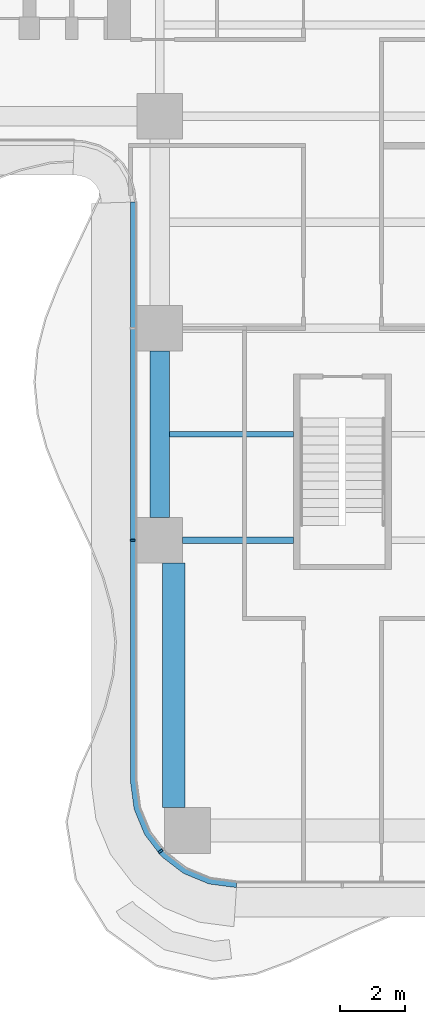
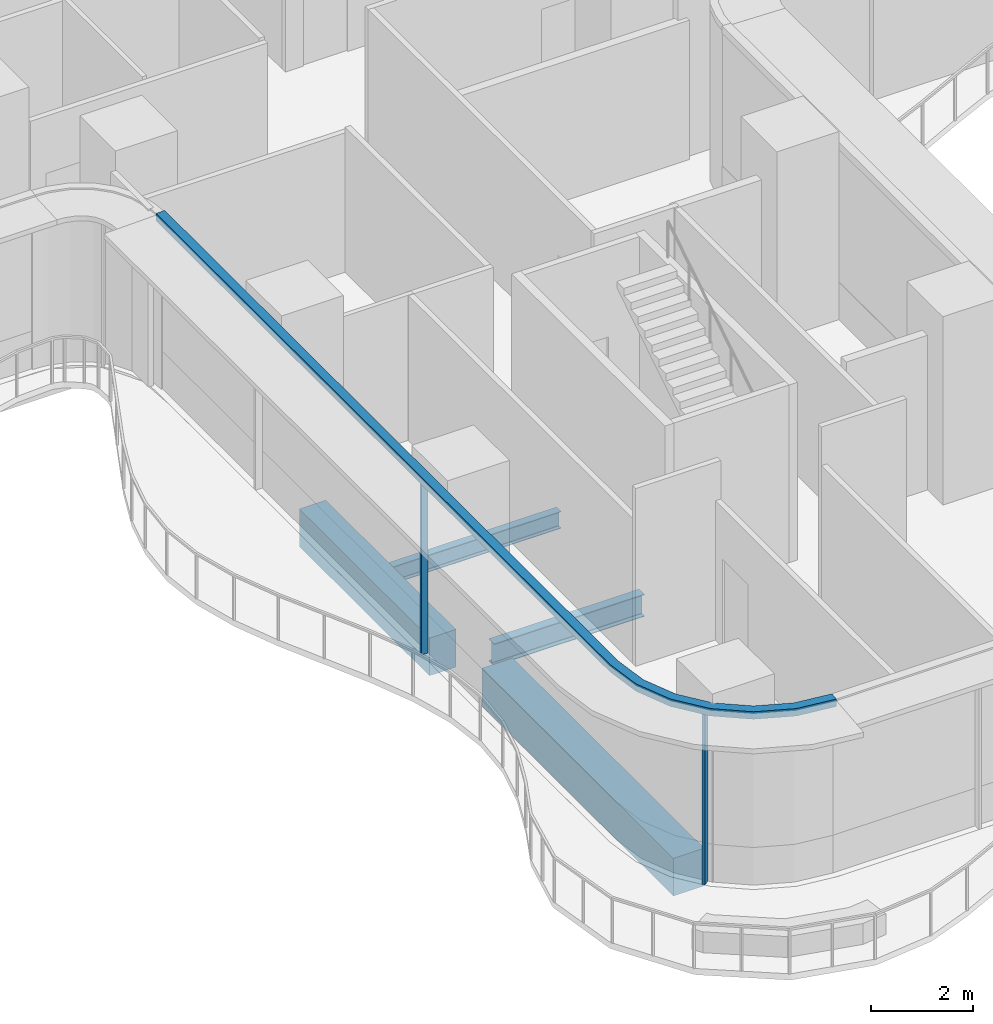
# One storey, part 2 of 23: 4 beams, 3 members, 1 element without a shape of its own.
"""IFC4 building model written with IfcOpenShell, lengths in metres."""

from ifc_helpers import new_model, si_unit, direction, frame, origin, origin_2d, place, context, subcontext, project, spatial, polyline, rectangle, i_section, outline, extrude, source, transform, mapped, material, layer, layer_set, material_profile, profile_set, type_object, element, aggregate, save


model = new_model("IFC4")

# Units and contexts
model_context = context("Model", 3, precision=1e-05, world=origin(), true_north=direction((0.0, 1.0)))
body_context = subcontext(model_context, "Body", "Model", "MODEL_VIEW")
ifc_project = project(units=[si_unit("LENGTHUNIT", "METRE"), si_unit("AREAUNIT", "SQUARE_METRE"), si_unit("VOLUMEUNIT", "CUBIC_METRE"), si_unit("PLANEANGLEUNIT", "RADIAN"), si_unit("MASSUNIT", "GRAM", prefix="KILO")], contexts=[model_context])

# Site, building, storey
site_placement = place(None, origin())
site = spatial("IfcSite", under=ifc_project, at=site_placement, CompositionType="ELEMENT")
building_placement = place(site_placement, origin())
building = spatial("IfcBuilding", under=site, at=building_placement, Name="Trellis Farm Tower", CompositionType="ELEMENT")
storey_placement = place(building_placement, frame((0.0, 0.0, 74.5)))
storey = spatial("IfcBuildingStorey", under=building, at=storey_placement, Name="L15", CompositionType="ELEMENT", Elevation=74.5)

# Beams
ifc_material_1 = material(Name="Steel S355", Category="steel")
ifc_material_profile_1 = material_profile(ifc_material_1, i_section(OverallWidth=0.209228515625, OverallDepth=0.533203125, WebThickness=0.010009765625, FlangeThickness=0.015625, FilletRadius=0.0126953125, at=origin_2d()), Name="UB 533x210x92")
ifc_profile_set_1 = profile_set([ifc_material_profile_1], Name="Steel S355")
beam_type_1 = type_object("IfcBeamType", Name="UB 533x210x92", PredefinedType="BEAM", material=ifc_profile_set_1)
shared_shape_1 = source(origin(), body_context, "Body", "SweptSolid", [
    extrude(i_section(OverallWidth=0.209228515625, OverallDepth=0.533203125, WebThickness=0.010009765625, FlangeThickness=0.015625, FilletRadius=0.0126953125, at=origin_2d()), origin(), (0.0, 0.0, 1.0), 3.39990234375),
])
beam_1_placement = place(storey_placement, frame((-4.89990234375, -18.60009765625, -0.5166015625), z_axis=(1.0, 0.0, 0.0), x_axis=(0.0, 1.0, 0.0)))
element("IfcBeam", 1, at=beam_1_placement, inside=storey, type_object=beam_type_1, Name="Girder", PredefinedType="BEAM", context=body_context, shape_type="MappedRepresentation", body=[
    mapped(shared_shape_1, transform((0.0, 0.0, 0.0))),
])
ifc_material_2 = material(Name="Concrete C60/75", Category="concrete")
ifc_material_profile_2 = material_profile(ifc_material_2, rectangle(XDim=0.60009765625, YDim=0.89990234375, at=origin_2d()), Name="RC spandrel beam 600x900 C60/75")
ifc_profile_set_2 = profile_set([ifc_material_profile_2], Name="Concrete C60/75")
beam_type_2 = type_object("IfcBeamType", Name="RC spandrel beam 600x900 C60/75", PredefinedType="SPANDREL", material=ifc_profile_set_2)
shared_shape_2 = source(origin(), body_context, "Body", "SweptSolid", [
    extrude(rectangle(XDim=0.60009765625, YDim=0.89990234375, at=origin_2d()), origin(), (0.0, 0.0, 1.0), 5.099853515625),
])
beam_2_placement = place(storey_placement, frame((-5.60009765625, -17.89990234375, -0.699951171875), z_axis=(0.0, 1.0, 0.0), x_axis=(-1.0, 0.0, 0.0)))
element("IfcBeam", 2, at=beam_2_placement, inside=storey, type_object=beam_type_2, Name="Girder", PredefinedType="SPANDREL", context=body_context, shape_type="MappedRepresentation", body=[
    mapped(shared_shape_2, transform((0.0, 0.0, 0.0))),
])
ifc_material_profile_3 = material_profile(ifc_material_2, rectangle(XDim=0.699951171875, YDim=0.89990234375, at=origin_2d()), Name="RC spandrel beam 700x900 C60/75")
ifc_profile_set_3 = profile_set([ifc_material_profile_3], Name="Concrete C60/75")
beam_type_3 = type_object("IfcBeamType", Name="RC spandrel beam 700x900 C60/75", PredefinedType="SPANDREL", material=ifc_profile_set_3)
shared_shape_3 = source(origin(), body_context, "Body", "SweptSolid", [
    extrude(rectangle(XDim=0.699951171875, YDim=0.89990234375, at=origin_2d()), origin(), (0.0, 0.0, 1.0), 7.5),
])
beam_3_placement = place(storey_placement, frame((-5.175048828125, -26.800048828125, -0.699951171875), z_axis=(0.0, 1.0, 0.0), x_axis=(-1.0, 0.0, 0.0)))
element("IfcBeam", 3, at=beam_3_placement, inside=storey, type_object=beam_type_3, Name="Girder", PredefinedType="SPANDREL", context=body_context, shape_type="MappedRepresentation", body=[
    mapped(shared_shape_3, transform((0.0, 0.0, 0.0))),
])
ifc_material_profile_4 = material_profile(ifc_material_1, i_section(OverallWidth=0.177978515625, OverallDepth=0.406494140625, WebThickness=0.0078125, FlangeThickness=0.0126953125, FilletRadius=0.01025390625, at=origin_2d()), Name="UB 406x178x60")
ifc_profile_set_4 = profile_set([ifc_material_profile_4], Name="Steel S355")
beam_type_4 = type_object("IfcBeamType", Name="UB 406x178x60 joist", PredefinedType="JOIST", material=ifc_profile_set_4)
shared_shape_4 = source(origin(), body_context, "Body", "SweptSolid", [
    extrude(i_section(OverallWidth=0.177978515625, OverallDepth=0.406494140625, WebThickness=0.0078125, FlangeThickness=0.0126953125, FilletRadius=0.01025390625, at=origin_2d()), origin(), (0.0, 0.0, 1.0), 3.800048828125),
])
beam_4_placement = place(storey_placement, frame((-5.300048828125, -15.35009765625, -0.453125), z_axis=(1.0, 0.0, 0.0), x_axis=(0.0, 1.0, 0.0)))
element("IfcBeam", 4, at=beam_4_placement, inside=storey, type_object=beam_type_4, Name="Floor beam", PredefinedType="JOIST", context=body_context, shape_type="MappedRepresentation", body=[
    mapped(shared_shape_4, transform((0.0, 0.0, 0.0))),
])

# Curtain wall, members
ifc_material_3 = material(Name="Aluminium and glass curtain wall", Category="aluminium")
ifc_layer_1 = layer(ifc_material_3, 0.18994140625)
ifc_layer_set_1 = layer_set([ifc_layer_1], Name="RIBBON CURTAIN WALL CW1")
curtain_wall_type = type_object("IfcCurtainWallType", Name="RIBBON CURTAIN WALL CW1", PredefinedType="NOTDEFINED", material=ifc_layer_set_1)
curtain_wall_placement = place(storey_placement, origin())
curtain_wall = element("IfcCurtainWall", 5, at=curtain_wall_placement, inside=storey, type_object=curtain_wall_type, Name="CW1 002", PredefinedType="NOTDEFINED")
ifc_material_4 = material(Name="Aluminium extrusion 6063-T6", Category="aluminium")
ifc_material_profile_5 = material_profile(ifc_material_4, rectangle(XDim=0.06005859375, YDim=0.14990234375, at=origin_2d()), Name="MULLION 60x150")
ifc_profile_set_5 = profile_set([ifc_material_profile_5], Name="Aluminium extrusion 6063-T6")
member_type_1 = type_object("IfcMemberType", Name="CW1 MULLION 60x150", PredefinedType="MULLION", material=ifc_profile_set_5)
shared_shape_5 = source(origin(), body_context, "Body", "SweptSolid", [
    extrude(rectangle(XDim=0.06005859375, YDim=0.14990234375, at=origin_2d()), origin(), (0.0, 0.0, 1.0), 4.070068359375),
])
member_1_placement = place(storey_placement, frame((-6.425048828125, -18.60009765625, 0.0), z_axis=(0.0, 0.0, 1.0), x_axis=(0.0, -1.0, 0.0)))
member_1 = element("IfcMember", 6, at=member_1_placement, type_object=member_type_1, Name="MU1 002-02", PredefinedType="MULLION", context=body_context, shape_type="MappedRepresentation", body=[
    mapped(shared_shape_5, transform((0.0, 0.0, 0.0))),
])
member_2_placement = place(storey_placement, frame((-5.578369140625, -28.135498046875, 0.0), z_axis=(0.0, 0.0, 1.0), x_axis=(0.608761429009, -0.793353340291, 0.0)))
member_2 = element("IfcMember", 7, at=member_2_placement, type_object=member_type_1, Name="MU1 002-03", PredefinedType="MULLION", context=body_context, shape_type="MappedRepresentation", body=[
    mapped(shared_shape_5, transform((0.0, 0.0, 0.0))),
])
ifc_layer_2 = layer(ifc_material_4, 0.199951171875)
ifc_layer_set_2 = layer_set([ifc_layer_2], Name="Aluminium extrusion 6063-T6")
member_type_2 = type_object("IfcMemberType", Name="CW1 TRANSOM 200x180", PredefinedType="USERDEFINED", material=ifc_layer_set_2)
shared_shape_6 = source(origin(), body_context, "Body", "SweptSolid", [
    extrude(outline(polyline([(-6.5, -8.2314453125), (-6.5, -26.0), (-6.38916015625, -26.841064453125), (-6.064697265625, -27.625), (-5.548095703125, -28.298095703125), (-4.875, -28.814697265625), (-4.091064453125, -29.13916015625), (-3.25, -29.25), (-3.23681640625, -29.050048828125), (-4.0390625, -28.9443359375), (-4.774169921875, -28.639892578125), (-5.405517578125, -28.155517578125), (-5.889892578125, -27.524169921875), (-6.1943359375, -26.7890625), (-6.300048828125, -25.98681640625), (-6.300048828125, -8.224853515625), (-6.5, -8.2314453125)])), origin(), (0.0, 0.0, 1.0), 0.179931640625),
])
member_3_placement = place(storey_placement, frame((0.0, 0.0, 4.070068359375)))
member_3 = element("IfcMember", 8, at=member_3_placement, type_object=member_type_2, Name="TR1 002", ObjectType="TRANSOM", PredefinedType="USERDEFINED", context=body_context, shape_type="MappedRepresentation", body=[
    mapped(shared_shape_6, transform((0.0, 0.0, 0.0))),
])
aggregate(curtain_wall, [member_1, member_2, member_3])

save(model, "model.ifc")
